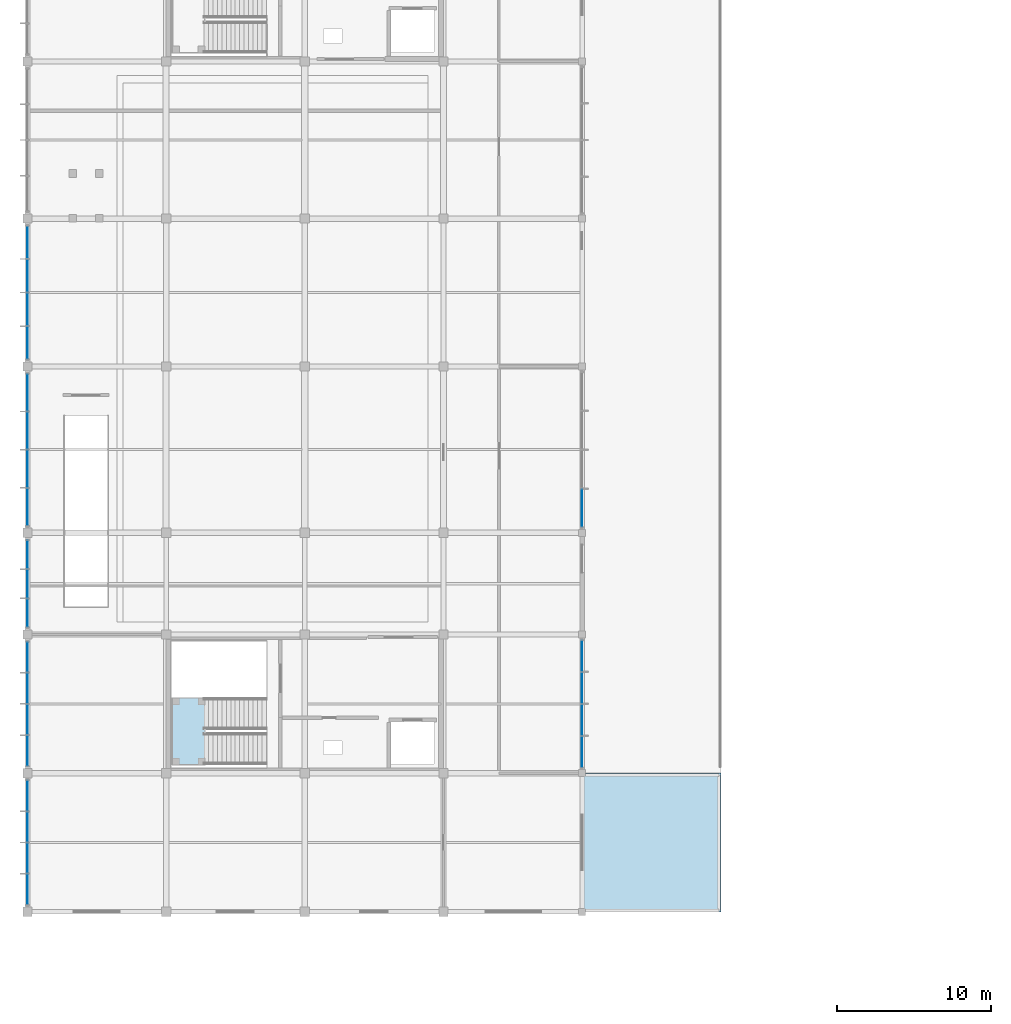
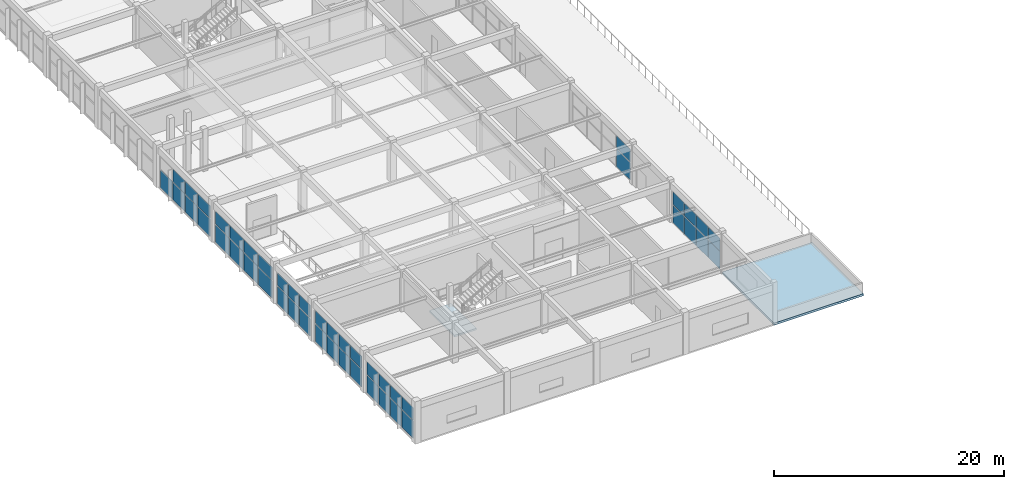
# One storey, part 56 of 89: 47 plates, 2 slabs, 8 elements without a shape of their own.
"""IFC4 building model written with IfcOpenShell, lengths in metres."""

from ifc_helpers import new_model, si_unit, direction, frame, origin, place, context, subcontext, project, spatial, polyline, outline, extrude, material, layer, layer_set, type_object, element, aggregate, save


model = new_model("IFC4")

# Units and contexts
model_context = context("Model", 3, precision=1e-05, world=origin(), true_north=direction((0.0, 1.0)))
body_context = subcontext(model_context, "Body", "Model", "MODEL_VIEW")
ifc_project = project(units=[si_unit("LENGTHUNIT", "METRE"), si_unit("AREAUNIT", "SQUARE_METRE"), si_unit("VOLUMEUNIT", "CUBIC_METRE"), si_unit("PLANEANGLEUNIT", "RADIAN"), si_unit("MASSUNIT", "GRAM", prefix="KILO")], contexts=[model_context])

# Site, building, storey
site_placement = place(None, origin())
site = spatial("IfcSite", under=ifc_project, at=site_placement, CompositionType="ELEMENT")
building_placement = place(site_placement, origin())
building = spatial("IfcBuilding", under=site, at=building_placement, Name="Suirenkawa Promenade Aquatics Centre", CompositionType="ELEMENT")
storey_placement = place(building_placement, frame((0.0, 0.0, 9.60009765625)))
storey = spatial("IfcBuildingStorey", under=building, at=storey_placement, Name="L02", CompositionType="ELEMENT", Elevation=9.60009765625)

# Curtain wall, plates
ifc_material_1 = material(Name="Anodised aluminium 6063-T6", Category="aluminium")
curtain_wall_type_1 = type_object("IfcCurtainWallType", Name="CWAT-V5EL02-61", PredefinedType="NOTDEFINED", material=ifc_material_1)
curtain_wall_1_placement = place(storey_placement, origin())
curtain_wall_1 = element("IfcCurtainWall", 1, at=curtain_wall_1_placement, inside=storey, type_object=curtain_wall_type_1, Name="Curtain wall CWA-61 CW-115", PredefinedType="NOTDEFINED")
ifc_material_2 = material(Name="Low-E thermally broken double glazing", Category="glass")
ifc_layer_1 = layer(ifc_material_2, 0.028076171875, Name="Low-E thermally broken double glazing", Category="glass")
ifc_layer_set_1 = layer_set([ifc_layer_1], Name="Low-E thermally broken double glazing")
plate_type_1 = type_object("IfcPlateType", Name="CWP-LOWE-28", PredefinedType="CURTAIN_PANEL", material=ifc_layer_set_1)
plate_1_placement = place(storey_placement, frame((36.0, 21.85107421875, 0.039794921875), z_axis=(0.0, 0.0, 1.0), x_axis=(0.0, -1.0, 0.0)))
plate_1 = element("IfcPlate", 2, at=plate_1_placement, type_object=plate_type_1, Name="Glazed panel CP-02 CWP-02323", PredefinedType="CURTAIN_PANEL", context=body_context, shape_type="SweptSolid", body=[
    extrude(outline(polyline([(0.0400390625, 0.0), (2.035400390625, 0.0), (2.035400390625, 1.8701171875), (0.0400390625, 1.8701171875), (0.0400390625, 0.0)])), frame((0.0, 0.01416015625, 0.0), z_axis=(0.0, -1.0, 0.0), x_axis=(1.0, 0.0, 0.0)), (0.0, 0.0, 1.0), 0.028076171875),
])
plate_2_placement = place(storey_placement, frame((36.0, 21.85107421875, 1.989990234375), z_axis=(0.0, 0.0, 1.0), x_axis=(0.0, -1.0, 0.0)))
plate_2 = element("IfcPlate", 3, at=plate_2_placement, type_object=plate_type_1, Name="Top glazed panel CP-02 CWP-02324", PredefinedType="CURTAIN_PANEL", context=body_context, shape_type="SweptSolid", body=[
    extrude(outline(polyline([(0.0400390625, 0.0), (2.035400390625, 0.0), (2.035400390625, 1.33984375), (0.0400390625, 1.33984375), (0.0400390625, 0.0)])), frame((0.0, 0.01416015625, 0.0), z_axis=(0.0, -1.0, 0.0), x_axis=(1.0, 0.0, 0.0)), (0.0, 0.0, 1.0), 0.028076171875),
])
plate_3_placement = place(storey_placement, frame((36.0, 19.775390625, 0.039794921875), z_axis=(0.0, 0.0, 1.0), x_axis=(0.0, -1.0, 0.0)))
plate_3 = element("IfcPlate", 4, at=plate_3_placement, type_object=plate_type_1, Name="Glazed panel CP-02 CWP-02325", PredefinedType="CURTAIN_PANEL", context=body_context, shape_type="SweptSolid", body=[
    extrude(outline(polyline([(0.0400390625, 0.0), (2.035400390625, 0.0), (2.035400390625, 1.8701171875), (0.0400390625, 1.8701171875), (0.0400390625, 0.0)])), frame((0.0, 0.01416015625, 0.0), z_axis=(0.0, -1.0, 0.0), x_axis=(1.0, 0.0, 0.0)), (0.0, 0.0, 1.0), 0.028076171875),
])
plate_4_placement = place(storey_placement, frame((36.0, 19.775390625, 1.989990234375), z_axis=(0.0, 0.0, 1.0), x_axis=(0.0, -1.0, 0.0)))
plate_4 = element("IfcPlate", 5, at=plate_4_placement, type_object=plate_type_1, Name="Top glazed panel CP-02 CWP-02326", PredefinedType="CURTAIN_PANEL", context=body_context, shape_type="SweptSolid", body=[
    extrude(outline(polyline([(0.0400390625, 0.0), (2.035400390625, 0.0), (2.035400390625, 1.33984375), (0.0400390625, 1.33984375), (0.0400390625, 0.0)])), frame((0.0, 0.01416015625, 0.0), z_axis=(0.0, -1.0, 0.0), x_axis=(1.0, 0.0, 0.0)), (0.0, 0.0, 1.0), 0.028076171875),
])
plate_5_placement = place(storey_placement, frame((36.0, 17.699951171875, 0.039794921875), z_axis=(0.0, 0.0, 1.0), x_axis=(0.0, -1.0, 0.0)))
plate_5 = element("IfcPlate", 6, at=plate_5_placement, type_object=plate_type_1, Name="Glazed panel CP-02 CWP-02327", PredefinedType="CURTAIN_PANEL", context=body_context, shape_type="SweptSolid", body=[
    extrude(outline(polyline([(0.0400390625, 0.0), (2.035400390625, 0.0), (2.035400390625, 1.8701171875), (0.0400390625, 1.8701171875), (0.0400390625, 0.0)])), frame((0.0, 0.01416015625, 0.0), z_axis=(0.0, -1.0, 0.0), x_axis=(1.0, 0.0, 0.0)), (0.0, 0.0, 1.0), 0.028076171875),
])
plate_6_placement = place(storey_placement, frame((36.0, 17.699951171875, 1.989990234375), z_axis=(0.0, 0.0, 1.0), x_axis=(0.0, -1.0, 0.0)))
plate_6 = element("IfcPlate", 7, at=plate_6_placement, type_object=plate_type_1, Name="Top glazed panel CP-02 CWP-02328", PredefinedType="CURTAIN_PANEL", context=body_context, shape_type="SweptSolid", body=[
    extrude(outline(polyline([(0.0400390625, 0.0), (2.035400390625, 0.0), (2.035400390625, 1.33984375), (0.0400390625, 1.33984375), (0.0400390625, 0.0)])), frame((0.0, 0.01416015625, 0.0), z_axis=(0.0, -1.0, 0.0), x_axis=(1.0, 0.0, 0.0)), (0.0, 0.0, 1.0), 0.028076171875),
])
plate_7_placement = place(storey_placement, frame((36.0, 15.62451171875, 0.039794921875), z_axis=(0.0, 0.0, 1.0), x_axis=(0.0, -1.0, 0.0)))
plate_7 = element("IfcPlate", 8, at=plate_7_placement, type_object=plate_type_1, Name="Glazed panel CP-02 CWP-02329", PredefinedType="CURTAIN_PANEL", context=body_context, shape_type="SweptSolid", body=[
    extrude(outline(polyline([(0.0400390625, 0.0), (2.035400390625, 0.0), (2.035400390625, 1.8701171875), (0.0400390625, 1.8701171875), (0.0400390625, 0.0)])), frame((0.0, 0.01416015625, 0.0), z_axis=(0.0, -1.0, 0.0), x_axis=(1.0, 0.0, 0.0)), (0.0, 0.0, 1.0), 0.028076171875),
])
plate_8_placement = place(storey_placement, frame((36.0, 15.62451171875, 1.989990234375), z_axis=(0.0, 0.0, 1.0), x_axis=(0.0, -1.0, 0.0)))
plate_8 = element("IfcPlate", 9, at=plate_8_placement, type_object=plate_type_1, Name="Top glazed panel CP-02 CWP-02330", PredefinedType="CURTAIN_PANEL", context=body_context, shape_type="SweptSolid", body=[
    extrude(outline(polyline([(0.0400390625, 0.0), (2.035400390625, 0.0), (2.035400390625, 1.33984375), (0.0400390625, 1.33984375), (0.0400390625, 0.0)])), frame((0.0, 0.01416015625, 0.0), z_axis=(0.0, -1.0, 0.0), x_axis=(1.0, 0.0, 0.0)), (0.0, 0.0, 1.0), 0.028076171875),
])
aggregate(curtain_wall_1, [plate_1, plate_2, plate_3, plate_4, plate_5, plate_6, plate_7, plate_8])

curtain_wall_type_2 = type_object("IfcCurtainWallType", Name="CWAT-V5EL02-64", PredefinedType="NOTDEFINED", material=ifc_material_1)
curtain_wall_2_placement = place(storey_placement, origin())
curtain_wall_2 = element("IfcCurtainWall", 10, at=curtain_wall_2_placement, inside=storey, type_object=curtain_wall_type_2, Name="Curtain wall CWA-64 CW-118", PredefinedType="NOTDEFINED")
plate_9_placement = place(storey_placement, frame((36.0, 31.674560546875, 0.039794921875), z_axis=(0.0, 0.0, 1.0), x_axis=(0.0, -1.0, 0.0)))
plate_9 = element("IfcPlate", 11, at=plate_9_placement, type_object=plate_type_1, Name="Glazed panel CP-02 CWP-02390", PredefinedType="CURTAIN_PANEL", context=body_context, shape_type="SweptSolid", body=[
    extrude(outline(polyline([(0.0400390625, 0.0), (2.485595703125, 0.0), (2.485595703125, 1.8701171875), (0.0400390625, 1.8701171875), (0.0400390625, 0.0)])), frame((0.0, 0.01416015625, 0.0), z_axis=(0.0, -1.0, 0.0), x_axis=(1.0, 0.0, 0.0)), (0.0, 0.0, 1.0), 0.028076171875),
])
plate_10_placement = place(storey_placement, frame((36.0, 31.674560546875, 1.989990234375), z_axis=(0.0, 0.0, 1.0), x_axis=(0.0, -1.0, 0.0)))
plate_10 = element("IfcPlate", 12, at=plate_10_placement, type_object=plate_type_1, Name="Top glazed panel CP-02 CWP-02391", PredefinedType="CURTAIN_PANEL", context=body_context, shape_type="SweptSolid", body=[
    extrude(outline(polyline([(0.0400390625, 0.0), (2.485595703125, 0.0), (2.485595703125, 1.33984375), (0.0400390625, 1.33984375), (0.0400390625, 0.0)])), frame((0.0, 0.01416015625, 0.0), z_axis=(0.0, -1.0, 0.0), x_axis=(1.0, 0.0, 0.0)), (0.0, 0.0, 1.0), 0.028076171875),
])
aggregate(curtain_wall_2, [plate_9, plate_10])

curtain_wall_type_3 = type_object("IfcCurtainWallType", Name="CWAT-V5WL02-60", PredefinedType="NOTDEFINED", material=ifc_material_1)
curtain_wall_3_placement = place(storey_placement, origin())
curtain_wall_3 = element("IfcCurtainWall", 13, at=curtain_wall_3_placement, inside=storey, type_object=curtain_wall_type_3, Name="Curtain wall CWA-60 CW-113", PredefinedType="NOTDEFINED")
ifc_material_3 = material(Name="Ceramic-fritted low-SHGC double glazing", Category="glass")
ifc_layer_2 = layer(ifc_material_3, 0.035888671875, Name="Ceramic-fritted low-SHGC double glazing", Category="glass")
ifc_layer_set_2 = layer_set([ifc_layer_2], Name="Ceramic-fritted low-SHGC double glazing")
plate_type_2 = type_object("IfcPlateType", Name="CWP-SHOJI-36", PredefinedType="CURTAIN_PANEL", material=ifc_layer_set_2)
plate_11_placement = place(storey_placement, frame((0.0, 4.64892578125, 0.039794921875), z_axis=(0.0, 0.0, 1.0), x_axis=(0.0, 1.0, 0.0)))
plate_11 = element("IfcPlate", 14, at=plate_11_placement, type_object=plate_type_2, Name="Glazed panel CP-01 CWP-02279", PredefinedType="CURTAIN_PANEL", context=body_context, shape_type="SweptSolid", body=[
    extrude(outline(polyline([(0.0400390625, 0.0), (1.985595703125, 0.0), (1.985595703125, 1.8701171875), (0.0400390625, 1.8701171875), (0.0400390625, 0.0)])), frame((0.0, 0.01806640625, 0.0), z_axis=(0.0, -1.0, 0.0), x_axis=(1.0, 0.0, 0.0)), (0.0, 0.0, 1.0), 0.035888671875),
])
plate_12_placement = place(storey_placement, frame((0.0, 4.64892578125, 1.989990234375), z_axis=(0.0, 0.0, 1.0), x_axis=(0.0, 1.0, 0.0)))
plate_12 = element("IfcPlate", 15, at=plate_12_placement, type_object=plate_type_2, Name="Top glazed panel CP-01 CWP-02280", PredefinedType="CURTAIN_PANEL", context=body_context, shape_type="SweptSolid", body=[
    extrude(outline(polyline([(0.0400390625, 0.0), (1.985595703125, 0.0), (1.985595703125, 1.33984375), (0.0400390625, 1.33984375), (0.0400390625, 0.0)])), frame((0.0, 0.01806640625, 0.0), z_axis=(0.0, -1.0, 0.0), x_axis=(1.0, 0.0, 0.0)), (0.0, 0.0, 1.0), 0.035888671875),
])
plate_13_placement = place(storey_placement, frame((0.0, 6.674560546875, 0.039794921875), z_axis=(0.0, 0.0, 1.0), x_axis=(0.0, 1.0, 0.0)))
plate_13 = element("IfcPlate", 16, at=plate_13_placement, type_object=plate_type_2, Name="Glazed panel CP-01 CWP-02281", PredefinedType="CURTAIN_PANEL", context=body_context, shape_type="SweptSolid", body=[
    extrude(outline(polyline([(0.0400390625, 0.0), (1.985595703125, 0.0), (1.985595703125, 1.8701171875), (0.0400390625, 1.8701171875), (0.0400390625, 0.0)])), frame((0.0, 0.01806640625, 0.0), z_axis=(0.0, -1.0, 0.0), x_axis=(1.0, 0.0, 0.0)), (0.0, 0.0, 1.0), 0.035888671875),
])
plate_14_placement = place(storey_placement, frame((0.0, 6.674560546875, 1.989990234375), z_axis=(0.0, 0.0, 1.0), x_axis=(0.0, 1.0, 0.0)))
plate_14 = element("IfcPlate", 17, at=plate_14_placement, type_object=plate_type_2, Name="Top glazed panel CP-01 CWP-02282", PredefinedType="CURTAIN_PANEL", context=body_context, shape_type="SweptSolid", body=[
    extrude(outline(polyline([(0.0400390625, 0.0), (1.985595703125, 0.0), (1.985595703125, 1.33984375), (0.0400390625, 1.33984375), (0.0400390625, 0.0)])), frame((0.0, 0.01806640625, 0.0), z_axis=(0.0, -1.0, 0.0), x_axis=(1.0, 0.0, 0.0)), (0.0, 0.0, 1.0), 0.035888671875),
])
plate_15_placement = place(storey_placement, frame((0.0, 8.699951171875, 0.039794921875), z_axis=(0.0, 0.0, 1.0), x_axis=(0.0, 1.0, 0.0)))
plate_15 = element("IfcPlate", 18, at=plate_15_placement, type_object=plate_type_2, Name="Glazed panel CP-01 CWP-02283", PredefinedType="CURTAIN_PANEL", context=body_context, shape_type="SweptSolid", body=[
    extrude(outline(polyline([(0.0400390625, 0.0), (1.985595703125, 0.0), (1.985595703125, 1.8701171875), (0.0400390625, 1.8701171875), (0.0400390625, 0.0)])), frame((0.0, 0.01806640625, 0.0), z_axis=(0.0, -1.0, 0.0), x_axis=(1.0, 0.0, 0.0)), (0.0, 0.0, 1.0), 0.035888671875),
])
plate_16_placement = place(storey_placement, frame((0.0, 8.699951171875, 1.989990234375), z_axis=(0.0, 0.0, 1.0), x_axis=(0.0, 1.0, 0.0)))
plate_16 = element("IfcPlate", 19, at=plate_16_placement, type_object=plate_type_2, Name="Top glazed panel CP-01 CWP-02284", PredefinedType="CURTAIN_PANEL", context=body_context, shape_type="SweptSolid", body=[
    extrude(outline(polyline([(0.0400390625, 0.0), (1.985595703125, 0.0), (1.985595703125, 1.33984375), (0.0400390625, 1.33984375), (0.0400390625, 0.0)])), frame((0.0, 0.01806640625, 0.0), z_axis=(0.0, -1.0, 0.0), x_axis=(1.0, 0.0, 0.0)), (0.0, 0.0, 1.0), 0.035888671875),
])
plate_17_placement = place(storey_placement, frame((0.0, 10.7255859375, 0.039794921875), z_axis=(0.0, 0.0, 1.0), x_axis=(0.0, 1.0, 0.0)))
plate_17 = element("IfcPlate", 20, at=plate_17_placement, type_object=plate_type_2, Name="Glazed panel CP-01 CWP-02285", PredefinedType="CURTAIN_PANEL", context=body_context, shape_type="SweptSolid", body=[
    extrude(outline(polyline([(0.0400390625, 0.0), (1.985595703125, 0.0), (1.985595703125, 1.8701171875), (0.0400390625, 1.8701171875), (0.0400390625, 0.0)])), frame((0.0, 0.01806640625, 0.0), z_axis=(0.0, -1.0, 0.0), x_axis=(1.0, 0.0, 0.0)), (0.0, 0.0, 1.0), 0.035888671875),
])
plate_18_placement = place(storey_placement, frame((0.0, 10.7255859375, 1.989990234375), z_axis=(0.0, 0.0, 1.0), x_axis=(0.0, 1.0, 0.0)))
plate_18 = element("IfcPlate", 21, at=plate_18_placement, type_object=plate_type_2, Name="Top glazed panel CP-01 CWP-02286", PredefinedType="CURTAIN_PANEL", context=body_context, shape_type="SweptSolid", body=[
    extrude(outline(polyline([(0.0400390625, 0.0), (1.985595703125, 0.0), (1.985595703125, 1.33984375), (0.0400390625, 1.33984375), (0.0400390625, 0.0)])), frame((0.0, 0.01806640625, 0.0), z_axis=(0.0, -1.0, 0.0), x_axis=(1.0, 0.0, 0.0)), (0.0, 0.0, 1.0), 0.035888671875),
])
aggregate(curtain_wall_3, [plate_11, plate_12, plate_13, plate_14, plate_15, plate_16, plate_17, plate_18])

curtain_wall_4_placement = place(storey_placement, origin())
curtain_wall_4 = element("IfcCurtainWall", 22, at=curtain_wall_4_placement, inside=storey, type_object=curtain_wall_type_3, Name="Curtain wall CWA-60 CW-114", PredefinedType="NOTDEFINED")
plate_19_placement = place(storey_placement, frame((0.0, 13.64892578125, 0.039794921875), z_axis=(0.0, 0.0, 1.0), x_axis=(0.0, 1.0, 0.0)))
plate_19 = element("IfcPlate", 23, at=plate_19_placement, type_object=plate_type_2, Name="Glazed panel CP-01 CWP-02301", PredefinedType="CURTAIN_PANEL", context=body_context, shape_type="SweptSolid", body=[
    extrude(outline(polyline([(0.0400390625, 0.0), (1.985595703125, 0.0), (1.985595703125, 1.8701171875), (0.0400390625, 1.8701171875), (0.0400390625, 0.0)])), frame((0.0, 0.01806640625, 0.0), z_axis=(0.0, -1.0, 0.0), x_axis=(1.0, 0.0, 0.0)), (0.0, 0.0, 1.0), 0.035888671875),
])
plate_20_placement = place(storey_placement, frame((0.0, 13.64892578125, 1.989990234375), z_axis=(0.0, 0.0, 1.0), x_axis=(0.0, 1.0, 0.0)))
plate_20 = element("IfcPlate", 24, at=plate_20_placement, type_object=plate_type_2, Name="Top glazed panel CP-01 CWP-02302", PredefinedType="CURTAIN_PANEL", context=body_context, shape_type="SweptSolid", body=[
    extrude(outline(polyline([(0.0400390625, 0.0), (1.985595703125, 0.0), (1.985595703125, 1.33984375), (0.0400390625, 1.33984375), (0.0400390625, 0.0)])), frame((0.0, 0.01806640625, 0.0), z_axis=(0.0, -1.0, 0.0), x_axis=(1.0, 0.0, 0.0)), (0.0, 0.0, 1.0), 0.035888671875),
])
plate_21_placement = place(storey_placement, frame((0.0, 15.674560546875, 0.039794921875), z_axis=(0.0, 0.0, 1.0), x_axis=(0.0, 1.0, 0.0)))
plate_21 = element("IfcPlate", 25, at=plate_21_placement, type_object=plate_type_2, Name="Glazed panel CP-01 CWP-02303", PredefinedType="CURTAIN_PANEL", context=body_context, shape_type="SweptSolid", body=[
    extrude(outline(polyline([(0.0400390625, 0.0), (1.985595703125, 0.0), (1.985595703125, 1.8701171875), (0.0400390625, 1.8701171875), (0.0400390625, 0.0)])), frame((0.0, 0.01806640625, 0.0), z_axis=(0.0, -1.0, 0.0), x_axis=(1.0, 0.0, 0.0)), (0.0, 0.0, 1.0), 0.035888671875),
])
plate_22_placement = place(storey_placement, frame((0.0, 15.674560546875, 1.989990234375), z_axis=(0.0, 0.0, 1.0), x_axis=(0.0, 1.0, 0.0)))
plate_22 = element("IfcPlate", 26, at=plate_22_placement, type_object=plate_type_2, Name="Top glazed panel CP-01 CWP-02304", PredefinedType="CURTAIN_PANEL", context=body_context, shape_type="SweptSolid", body=[
    extrude(outline(polyline([(0.0400390625, 0.0), (1.985595703125, 0.0), (1.985595703125, 1.33984375), (0.0400390625, 1.33984375), (0.0400390625, 0.0)])), frame((0.0, 0.01806640625, 0.0), z_axis=(0.0, -1.0, 0.0), x_axis=(1.0, 0.0, 0.0)), (0.0, 0.0, 1.0), 0.035888671875),
])
plate_23_placement = place(storey_placement, frame((0.0, 17.699951171875, 0.039794921875), z_axis=(0.0, 0.0, 1.0), x_axis=(0.0, 1.0, 0.0)))
plate_23 = element("IfcPlate", 27, at=plate_23_placement, type_object=plate_type_2, Name="Glazed panel CP-01 CWP-02305", PredefinedType="CURTAIN_PANEL", context=body_context, shape_type="SweptSolid", body=[
    extrude(outline(polyline([(0.0400390625, 0.0), (1.985595703125, 0.0), (1.985595703125, 1.8701171875), (0.0400390625, 1.8701171875), (0.0400390625, 0.0)])), frame((0.0, 0.01806640625, 0.0), z_axis=(0.0, -1.0, 0.0), x_axis=(1.0, 0.0, 0.0)), (0.0, 0.0, 1.0), 0.035888671875),
])
plate_24_placement = place(storey_placement, frame((0.0, 17.699951171875, 1.989990234375), z_axis=(0.0, 0.0, 1.0), x_axis=(0.0, 1.0, 0.0)))
plate_24 = element("IfcPlate", 28, at=plate_24_placement, type_object=plate_type_2, Name="Top glazed panel CP-01 CWP-02306", PredefinedType="CURTAIN_PANEL", context=body_context, shape_type="SweptSolid", body=[
    extrude(outline(polyline([(0.0400390625, 0.0), (1.985595703125, 0.0), (1.985595703125, 1.33984375), (0.0400390625, 1.33984375), (0.0400390625, 0.0)])), frame((0.0, 0.01806640625, 0.0), z_axis=(0.0, -1.0, 0.0), x_axis=(1.0, 0.0, 0.0)), (0.0, 0.0, 1.0), 0.035888671875),
])
plate_25_placement = place(storey_placement, frame((0.0, 19.7255859375, 0.039794921875), z_axis=(0.0, 0.0, 1.0), x_axis=(0.0, 1.0, 0.0)))
plate_25 = element("IfcPlate", 29, at=plate_25_placement, type_object=plate_type_2, Name="Glazed panel CP-01 CWP-02307", PredefinedType="CURTAIN_PANEL", context=body_context, shape_type="SweptSolid", body=[
    extrude(outline(polyline([(0.0400390625, 0.0), (1.985595703125, 0.0), (1.985595703125, 1.8701171875), (0.0400390625, 1.8701171875), (0.0400390625, 0.0)])), frame((0.0, 0.01806640625, 0.0), z_axis=(0.0, -1.0, 0.0), x_axis=(1.0, 0.0, 0.0)), (0.0, 0.0, 1.0), 0.035888671875),
])
plate_26_placement = place(storey_placement, frame((0.0, 19.7255859375, 1.989990234375), z_axis=(0.0, 0.0, 1.0), x_axis=(0.0, 1.0, 0.0)))
plate_26 = element("IfcPlate", 30, at=plate_26_placement, type_object=plate_type_2, Name="Top glazed panel CP-01 CWP-02308", PredefinedType="CURTAIN_PANEL", context=body_context, shape_type="SweptSolid", body=[
    extrude(outline(polyline([(0.0400390625, 0.0), (1.985595703125, 0.0), (1.985595703125, 1.33984375), (0.0400390625, 1.33984375), (0.0400390625, 0.0)])), frame((0.0, 0.01806640625, 0.0), z_axis=(0.0, -1.0, 0.0), x_axis=(1.0, 0.0, 0.0)), (0.0, 0.0, 1.0), 0.035888671875),
])
aggregate(curtain_wall_4, [plate_19, plate_20, plate_21, plate_22, plate_23, plate_24, plate_25, plate_26])

curtain_wall_type_4 = type_object("IfcCurtainWallType", Name="CWAT-V5WL02-62", PredefinedType="NOTDEFINED", material=ifc_material_1)
curtain_wall_5_placement = place(storey_placement, origin())
curtain_wall_5 = element("IfcCurtainWall", 31, at=curtain_wall_5_placement, inside=storey, type_object=curtain_wall_type_4, Name="Curtain wall CWA-62 CW-116", PredefinedType="NOTDEFINED")
plate_27_placement = place(storey_placement, frame((0.0, 22.64892578125, 0.039794921875), z_axis=(0.0, 0.0, 1.0), x_axis=(0.0, 1.0, 0.0)))
plate_27 = element("IfcPlate", 32, at=plate_27_placement, type_object=plate_type_2, Name="Glazed panel CP-01 CWP-02342", PredefinedType="CURTAIN_PANEL", context=body_context, shape_type="SweptSolid", body=[
    extrude(outline(polyline([(0.0400390625, 0.0), (1.860595703125, 0.0), (1.860595703125, 1.8701171875), (0.0400390625, 1.8701171875), (0.0400390625, 0.0)])), frame((0.0, 0.01806640625, 0.0), z_axis=(0.0, -1.0, 0.0), x_axis=(1.0, 0.0, 0.0)), (0.0, 0.0, 1.0), 0.035888671875),
])
plate_28_placement = place(storey_placement, frame((0.0, 22.64892578125, 1.989990234375), z_axis=(0.0, 0.0, 1.0), x_axis=(0.0, 1.0, 0.0)))
plate_28 = element("IfcPlate", 33, at=plate_28_placement, type_object=plate_type_2, Name="Top glazed panel CP-01 CWP-02343", PredefinedType="CURTAIN_PANEL", context=body_context, shape_type="SweptSolid", body=[
    extrude(outline(polyline([(0.0400390625, 0.0), (1.860595703125, 0.0), (1.860595703125, 1.33984375), (0.0400390625, 1.33984375), (0.0400390625, 0.0)])), frame((0.0, 0.01806640625, 0.0), z_axis=(0.0, -1.0, 0.0), x_axis=(1.0, 0.0, 0.0)), (0.0, 0.0, 1.0), 0.035888671875),
])
plate_29_placement = place(storey_placement, frame((0.0, 24.549560546875, 0.039794921875), z_axis=(0.0, 0.0, 1.0), x_axis=(0.0, 1.0, 0.0)))
plate_29 = element("IfcPlate", 34, at=plate_29_placement, type_object=plate_type_2, Name="Glazed panel CP-01 CWP-02344", PredefinedType="CURTAIN_PANEL", context=body_context, shape_type="SweptSolid", body=[
    extrude(outline(polyline([(0.0400390625, 0.0), (1.860595703125, 0.0), (1.860595703125, 1.8701171875), (0.0400390625, 1.8701171875), (0.0400390625, 0.0)])), frame((0.0, 0.01806640625, 0.0), z_axis=(0.0, -1.0, 0.0), x_axis=(1.0, 0.0, 0.0)), (0.0, 0.0, 1.0), 0.035888671875),
])
plate_30_placement = place(storey_placement, frame((0.0, 24.549560546875, 1.989990234375), z_axis=(0.0, 0.0, 1.0), x_axis=(0.0, 1.0, 0.0)))
plate_30 = element("IfcPlate", 35, at=plate_30_placement, type_object=plate_type_2, Name="Top glazed panel CP-01 CWP-02345", PredefinedType="CURTAIN_PANEL", context=body_context, shape_type="SweptSolid", body=[
    extrude(outline(polyline([(0.0400390625, 0.0), (1.860595703125, 0.0), (1.860595703125, 1.33984375), (0.0400390625, 1.33984375), (0.0400390625, 0.0)])), frame((0.0, 0.01806640625, 0.0), z_axis=(0.0, -1.0, 0.0), x_axis=(1.0, 0.0, 0.0)), (0.0, 0.0, 1.0), 0.035888671875),
])
plate_31_placement = place(storey_placement, frame((0.0, 26.450439453125, 0.039794921875), z_axis=(0.0, 0.0, 1.0), x_axis=(0.0, 1.0, 0.0)))
plate_31 = element("IfcPlate", 36, at=plate_31_placement, type_object=plate_type_2, Name="Glazed panel CP-01 CWP-02346", PredefinedType="CURTAIN_PANEL", context=body_context, shape_type="SweptSolid", body=[
    extrude(outline(polyline([(0.0400390625, 0.0), (1.860595703125, 0.0), (1.860595703125, 1.8701171875), (0.0400390625, 1.8701171875), (0.0400390625, 0.0)])), frame((0.0, 0.01806640625, 0.0), z_axis=(0.0, -1.0, 0.0), x_axis=(1.0, 0.0, 0.0)), (0.0, 0.0, 1.0), 0.035888671875),
])
plate_32_placement = place(storey_placement, frame((0.0, 26.450439453125, 1.989990234375), z_axis=(0.0, 0.0, 1.0), x_axis=(0.0, 1.0, 0.0)))
plate_32 = element("IfcPlate", 37, at=plate_32_placement, type_object=plate_type_2, Name="Top glazed panel CP-01 CWP-02347", PredefinedType="CURTAIN_PANEL", context=body_context, shape_type="SweptSolid", body=[
    extrude(outline(polyline([(0.0400390625, 0.0), (1.860595703125, 0.0), (1.860595703125, 1.33984375), (0.0400390625, 1.33984375), (0.0400390625, 0.0)])), frame((0.0, 0.01806640625, 0.0), z_axis=(0.0, -1.0, 0.0), x_axis=(1.0, 0.0, 0.0)), (0.0, 0.0, 1.0), 0.035888671875),
])
aggregate(curtain_wall_5, [plate_27, plate_28, plate_29, plate_30, plate_31, plate_32])

curtain_wall_type_5 = type_object("IfcCurtainWallType", Name="CWAT-V5WL02-63", PredefinedType="NOTDEFINED", material=ifc_material_1)
curtain_wall_6_placement = place(storey_placement, origin())
curtain_wall_6 = element("IfcCurtainWall", 38, at=curtain_wall_6_placement, inside=storey, type_object=curtain_wall_type_5, Name="Curtain wall CWA-63 CW-117", PredefinedType="NOTDEFINED")
plate_33_placement = place(storey_placement, frame((0.0, 29.2490234375, 0.039794921875), z_axis=(0.0, 0.0, 1.0), x_axis=(0.0, 1.0, 0.0)))
plate_33 = element("IfcPlate", 39, at=plate_33_placement, type_object=plate_type_2, Name="Glazed panel CP-01 CWP-02362", PredefinedType="CURTAIN_PANEL", context=body_context, shape_type="SweptSolid", body=[
    extrude(outline(polyline([(0.0400390625, 0.0), (2.435546875, 0.0), (2.435546875, 1.8701171875), (0.0400390625, 1.8701171875), (0.0400390625, 0.0)])), frame((0.0, 0.01806640625, 0.0), z_axis=(0.0, -1.0, 0.0), x_axis=(1.0, 0.0, 0.0)), (0.0, 0.0, 1.0), 0.035888671875),
])
plate_34_placement = place(storey_placement, frame((0.0, 29.2490234375, 1.989990234375), z_axis=(0.0, 0.0, 1.0), x_axis=(0.0, 1.0, 0.0)))
plate_34 = element("IfcPlate", 40, at=plate_34_placement, type_object=plate_type_2, Name="Top glazed panel CP-01 CWP-02363", PredefinedType="CURTAIN_PANEL", context=body_context, shape_type="SweptSolid", body=[
    extrude(outline(polyline([(0.0400390625, 0.0), (2.435546875, 0.0), (2.435546875, 1.33984375), (0.0400390625, 1.33984375), (0.0400390625, 0.0)])), frame((0.0, 0.01806640625, 0.0), z_axis=(0.0, -1.0, 0.0), x_axis=(1.0, 0.0, 0.0)), (0.0, 0.0, 1.0), 0.035888671875),
])
plate_35_placement = place(storey_placement, frame((0.0, 31.724609375, 0.039794921875), z_axis=(0.0, 0.0, 1.0), x_axis=(0.0, 1.0, 0.0)))
plate_35 = element("IfcPlate", 41, at=plate_35_placement, type_object=plate_type_2, Name="Glazed panel CP-01 CWP-02364", PredefinedType="CURTAIN_PANEL", context=body_context, shape_type="SweptSolid", body=[
    extrude(outline(polyline([(0.0400390625, 0.0), (2.435546875, 0.0), (2.435546875, 1.8701171875), (0.0400390625, 1.8701171875), (0.0400390625, 0.0)])), frame((0.0, 0.01806640625, 0.0), z_axis=(0.0, -1.0, 0.0), x_axis=(1.0, 0.0, 0.0)), (0.0, 0.0, 1.0), 0.035888671875),
])
plate_36_placement = place(storey_placement, frame((0.0, 31.724609375, 1.989990234375), z_axis=(0.0, 0.0, 1.0), x_axis=(0.0, 1.0, 0.0)))
plate_36 = element("IfcPlate", 42, at=plate_36_placement, type_object=plate_type_2, Name="Top glazed panel CP-01 CWP-02365", PredefinedType="CURTAIN_PANEL", context=body_context, shape_type="SweptSolid", body=[
    extrude(outline(polyline([(0.0400390625, 0.0), (2.435546875, 0.0), (2.435546875, 1.33984375), (0.0400390625, 1.33984375), (0.0400390625, 0.0)])), frame((0.0, 0.01806640625, 0.0), z_axis=(0.0, -1.0, 0.0), x_axis=(1.0, 0.0, 0.0)), (0.0, 0.0, 1.0), 0.035888671875),
])
plate_37_placement = place(storey_placement, frame((0.0, 34.199951171875, 0.039794921875), z_axis=(0.0, 0.0, 1.0), x_axis=(0.0, 1.0, 0.0)))
plate_37 = element("IfcPlate", 43, at=plate_37_placement, type_object=plate_type_2, Name="Glazed panel CP-01 CWP-02366", PredefinedType="CURTAIN_PANEL", context=body_context, shape_type="SweptSolid", body=[
    extrude(outline(polyline([(0.0400390625, 0.0), (2.435546875, 0.0), (2.435546875, 1.8701171875), (0.0400390625, 1.8701171875), (0.0400390625, 0.0)])), frame((0.0, 0.01806640625, 0.0), z_axis=(0.0, -1.0, 0.0), x_axis=(1.0, 0.0, 0.0)), (0.0, 0.0, 1.0), 0.035888671875),
])
plate_38_placement = place(storey_placement, frame((0.0, 34.199951171875, 1.989990234375), z_axis=(0.0, 0.0, 1.0), x_axis=(0.0, 1.0, 0.0)))
plate_38 = element("IfcPlate", 44, at=plate_38_placement, type_object=plate_type_2, Name="Top glazed panel CP-01 CWP-02367", PredefinedType="CURTAIN_PANEL", context=body_context, shape_type="SweptSolid", body=[
    extrude(outline(polyline([(0.0400390625, 0.0), (2.435546875, 0.0), (2.435546875, 1.33984375), (0.0400390625, 1.33984375), (0.0400390625, 0.0)])), frame((0.0, 0.01806640625, 0.0), z_axis=(0.0, -1.0, 0.0), x_axis=(1.0, 0.0, 0.0)), (0.0, 0.0, 1.0), 0.035888671875),
])
plate_39_placement = place(storey_placement, frame((0.0, 36.675537109375, 0.039794921875), z_axis=(0.0, 0.0, 1.0), x_axis=(0.0, 1.0, 0.0)))
plate_39 = element("IfcPlate", 45, at=plate_39_placement, type_object=plate_type_2, Name="Glazed panel CP-01 CWP-02368", PredefinedType="CURTAIN_PANEL", context=body_context, shape_type="SweptSolid", body=[
    extrude(outline(polyline([(0.0400390625, 0.0), (2.435546875, 0.0), (2.435546875, 1.8701171875), (0.0400390625, 1.8701171875), (0.0400390625, 0.0)])), frame((0.0, 0.01806640625, 0.0), z_axis=(0.0, -1.0, 0.0), x_axis=(1.0, 0.0, 0.0)), (0.0, 0.0, 1.0), 0.035888671875),
])
plate_40_placement = place(storey_placement, frame((0.0, 36.675537109375, 1.989990234375), z_axis=(0.0, 0.0, 1.0), x_axis=(0.0, 1.0, 0.0)))
plate_40 = element("IfcPlate", 46, at=plate_40_placement, type_object=plate_type_2, Name="Top glazed panel CP-01 CWP-02369", PredefinedType="CURTAIN_PANEL", context=body_context, shape_type="SweptSolid", body=[
    extrude(outline(polyline([(0.0400390625, 0.0), (2.435546875, 0.0), (2.435546875, 1.33984375), (0.0400390625, 1.33984375), (0.0400390625, 0.0)])), frame((0.0, 0.01806640625, 0.0), z_axis=(0.0, -1.0, 0.0), x_axis=(1.0, 0.0, 0.0)), (0.0, 0.0, 1.0), 0.035888671875),
])
aggregate(curtain_wall_6, [plate_33, plate_34, plate_35, plate_36, plate_37, plate_38, plate_39, plate_40])

curtain_wall_type_6 = type_object("IfcCurtainWallType", Name="CWAT-V5WL02-65", PredefinedType="NOTDEFINED", material=ifc_material_1)
curtain_wall_7_placement = place(storey_placement, origin())
curtain_wall_7 = element("IfcCurtainWall", 47, at=curtain_wall_7_placement, inside=storey, type_object=curtain_wall_type_6, Name="Curtain wall CWA-65 CW-119", PredefinedType="NOTDEFINED")
plate_41_placement = place(storey_placement, frame((0.0, 40.049072265625, 0.039794921875), z_axis=(0.0, 0.0, 1.0), x_axis=(0.0, 1.0, 0.0)))
plate_41 = element("IfcPlate", 48, at=plate_41_placement, type_object=plate_type_2, Name="Glazed panel CP-01 CWP-02406", PredefinedType="CURTAIN_PANEL", context=body_context, shape_type="SweptSolid", body=[
    extrude(outline(polyline([(0.0400390625, 0.0), (2.135498046875, 0.0), (2.135498046875, 1.8701171875), (0.0400390625, 1.8701171875), (0.0400390625, 0.0)])), frame((0.0, 0.01806640625, 0.0), z_axis=(0.0, -1.0, 0.0), x_axis=(1.0, 0.0, 0.0)), (0.0, 0.0, 1.0), 0.035888671875),
])
plate_42_placement = place(storey_placement, frame((0.0, 40.049072265625, 1.989990234375), z_axis=(0.0, 0.0, 1.0), x_axis=(0.0, 1.0, 0.0)))
plate_42 = element("IfcPlate", 49, at=plate_42_placement, type_object=plate_type_2, Name="Top glazed panel CP-01 CWP-02407", PredefinedType="CURTAIN_PANEL", context=body_context, shape_type="SweptSolid", body=[
    extrude(outline(polyline([(0.0400390625, 0.0), (2.135498046875, 0.0), (2.135498046875, 1.33984375), (0.0400390625, 1.33984375), (0.0400390625, 0.0)])), frame((0.0, 0.01806640625, 0.0), z_axis=(0.0, -1.0, 0.0), x_axis=(1.0, 0.0, 0.0)), (0.0, 0.0, 1.0), 0.035888671875),
])
plate_43_placement = place(storey_placement, frame((0.0, 42.224609375, 0.039794921875), z_axis=(0.0, 0.0, 1.0), x_axis=(0.0, 1.0, 0.0)))
plate_43 = element("IfcPlate", 50, at=plate_43_placement, type_object=plate_type_2, Name="Glazed panel CP-01 CWP-02408", PredefinedType="CURTAIN_PANEL", context=body_context, shape_type="SweptSolid", body=[
    extrude(outline(polyline([(0.0400390625, 0.0), (2.135498046875, 0.0), (2.135498046875, 1.8701171875), (0.0400390625, 1.8701171875), (0.0400390625, 0.0)])), frame((0.0, 0.01806640625, 0.0), z_axis=(0.0, -1.0, 0.0), x_axis=(1.0, 0.0, 0.0)), (0.0, 0.0, 1.0), 0.035888671875),
])
plate_44_placement = place(storey_placement, frame((0.0, 42.224609375, 1.989990234375), z_axis=(0.0, 0.0, 1.0), x_axis=(0.0, 1.0, 0.0)))
plate_44 = element("IfcPlate", 51, at=plate_44_placement, type_object=plate_type_2, Name="Top glazed panel CP-01 CWP-02409", PredefinedType="CURTAIN_PANEL", context=body_context, shape_type="SweptSolid", body=[
    extrude(outline(polyline([(0.0400390625, 0.0), (2.135498046875, 0.0), (2.135498046875, 1.33984375), (0.0400390625, 1.33984375), (0.0400390625, 0.0)])), frame((0.0, 0.01806640625, 0.0), z_axis=(0.0, -1.0, 0.0), x_axis=(1.0, 0.0, 0.0)), (0.0, 0.0, 1.0), 0.035888671875),
])
plate_45_placement = place(storey_placement, frame((0.0, 44.39990234375, 0.039794921875), z_axis=(0.0, 0.0, 1.0), x_axis=(0.0, 1.0, 0.0)))
plate_45 = element("IfcPlate", 52, at=plate_45_placement, type_object=plate_type_2, Name="Glazed panel CP-01 CWP-02410", PredefinedType="CURTAIN_PANEL", context=body_context, shape_type="SweptSolid", body=[
    extrude(outline(polyline([(0.0400390625, 0.0), (2.135498046875, 0.0), (2.135498046875, 1.8701171875), (0.0400390625, 1.8701171875), (0.0400390625, 0.0)])), frame((0.0, 0.01806640625, 0.0), z_axis=(0.0, -1.0, 0.0), x_axis=(1.0, 0.0, 0.0)), (0.0, 0.0, 1.0), 0.035888671875),
])
plate_46_placement = place(storey_placement, frame((0.0, 44.39990234375, 1.989990234375), z_axis=(0.0, 0.0, 1.0), x_axis=(0.0, 1.0, 0.0)))
plate_46 = element("IfcPlate", 53, at=plate_46_placement, type_object=plate_type_2, Name="Top glazed panel CP-01 CWP-02411", PredefinedType="CURTAIN_PANEL", context=body_context, shape_type="SweptSolid", body=[
    extrude(outline(polyline([(0.0400390625, 0.0), (2.135498046875, 0.0), (2.135498046875, 1.33984375), (0.0400390625, 1.33984375), (0.0400390625, 0.0)])), frame((0.0, 0.01806640625, 0.0), z_axis=(0.0, -1.0, 0.0), x_axis=(1.0, 0.0, 0.0)), (0.0, 0.0, 1.0), 0.035888671875),
])
plate_47_placement = place(storey_placement, frame((0.0, 46.575439453125, 0.039794921875), z_axis=(0.0, 0.0, 1.0), x_axis=(0.0, 1.0, 0.0)))
plate_47 = element("IfcPlate", 54, at=plate_47_placement, type_object=plate_type_2, Name="Glazed panel CP-01 CWP-02412", PredefinedType="CURTAIN_PANEL", context=body_context, shape_type="SweptSolid", body=[
    extrude(outline(polyline([(0.0400390625, 0.0), (2.135498046875, 0.0), (2.135498046875, 1.8701171875), (0.0400390625, 1.8701171875), (0.0400390625, 0.0)])), frame((0.0, 0.01806640625, 0.0), z_axis=(0.0, -1.0, 0.0), x_axis=(1.0, 0.0, 0.0)), (0.0, 0.0, 1.0), 0.035888671875),
])
aggregate(curtain_wall_7, [plate_41, plate_42, plate_43, plate_44, plate_45, plate_46, plate_47])

# Stair, slab
ifc_material_4 = material(Name="Concrete M40", Category="concrete")
stair_type = type_object("IfcStairType", Name="STT-CORE-2100-450", PredefinedType="TWO_STRAIGHT_RUN_STAIR", material=ifc_material_4)
stair_placement = place(storey_placement, origin())
stair = element("IfcStair", 55, at=stair_placement, inside=storey, type_object=stair_type, Name="Protected exit stair STR-02 ST-04", PredefinedType="TWO_STRAIGHT_RUN_STAIR")
ifc_layer_3 = layer(ifc_material_4, 0.169921875, Name="Concrete M40", Category="concrete")
ifc_layer_set_3 = layer_set([ifc_layer_3], Name="Concrete M40")
slab_type_1 = type_object("IfcSlabType", Name="SLT-LANDING-170", PredefinedType="LANDING", material=ifc_layer_set_3)
slab_1_placement = place(storey_placement, frame((0.0, 0.0, 2.06982421875)))
slab_1 = element("IfcSlab", 56, at=slab_1_placement, type_object=slab_type_1, Name="Stair landing SL-LND-01 SL-8004", PredefinedType="LANDING", context=body_context, shape_type="SweptSolid", body=[
    extrude(outline(polyline([(9.360107421875, 13.719970703125), (11.550048828125, 13.719970703125), (11.550048828125, 18.110107421875), (9.360107421875, 18.110107421875), (9.360107421875, 13.719970703125)])), origin(), (0.0, 0.0, 1.0), 0.18017578125),
])
aggregate(stair, [slab_1])

# Slab
ifc_material_5 = material(Name="Concrete M35", Category="concrete")
ifc_layer_4 = layer(ifc_material_5, 0.22998046875, Name="Concrete M35", Category="concrete")
ifc_layer_set_4 = layer_set([ifc_layer_4], Name="Concrete M35")
slab_type_2 = type_object("IfcSlabType", Name="SLT-ROOF-FLAT-230", PredefinedType="ROOF", material=ifc_layer_set_4)
slab_2_placement = place(storey_placement, frame((0.0, 0.0, -0.22998046875)))
element("IfcSlab", 57, at=slab_2_placement, inside=storey, type_object=slab_type_2, Name="V5 L02 south podium roof SL-ROOF-04 SL-0066", PredefinedType="ROOF", context=body_context, shape_type="SweptSolid", body=[
    extrude(outline(polyline([(36.0, 4.199951171875), (45.0, 4.199951171875), (45.0, 13.199951171875), (36.0, 13.199951171875), (36.0, 4.199951171875)])), origin(), (0.0, 0.0, 1.0), 0.22998046875),
])

save(model, "model.ifc")
